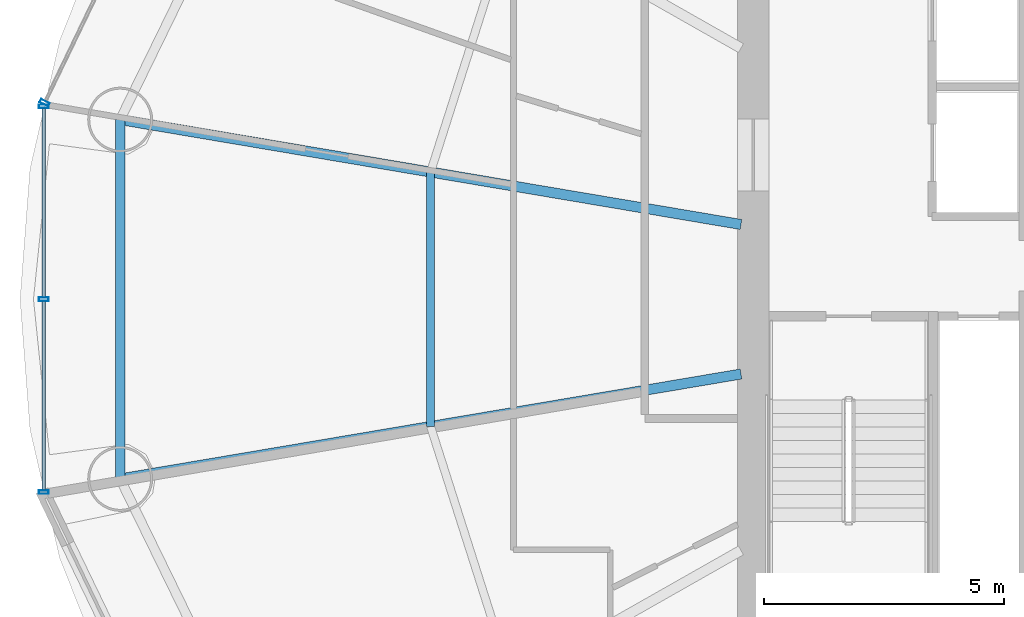
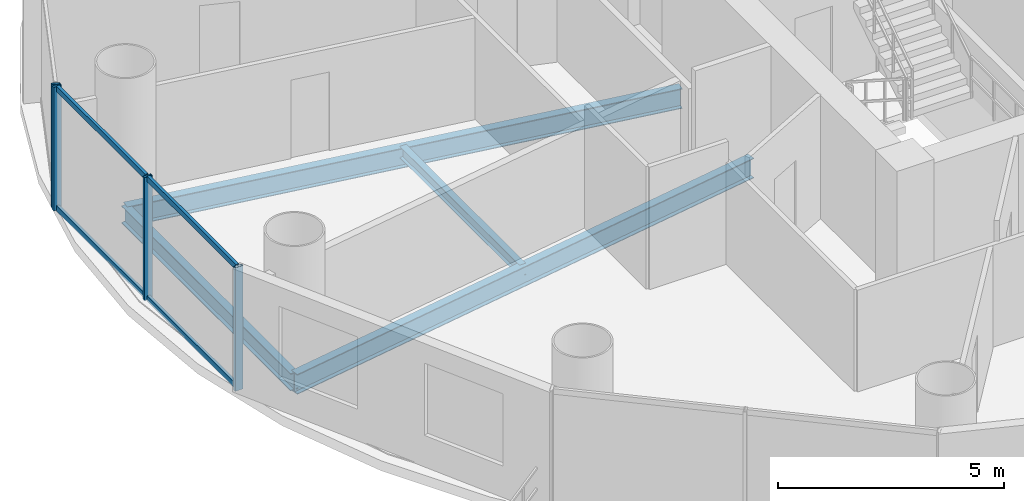
# One storey, part 7 of 26: 8 members, 4 beams, 2 elements without a shape of their own.
"""IFC4 building model written with IfcOpenShell, lengths in metres."""

from ifc_helpers import new_model, si_unit, direction, frame, origin, origin_2d, place, context, subcontext, project, spatial, hollow_rectangle, i_section, extrude, source, transform, mapped, material, material_profile, profile_set, type_object, element, aggregate, save


model = new_model("IFC4")

# Units and contexts
model_context = context("Model", 3, precision=1e-05, world=origin(), true_north=direction((-0.2419218956, 0.970295726276)))
body_context = subcontext(model_context, "Body", "Model", "MODEL_VIEW")
ifc_project = project(units=[si_unit("LENGTHUNIT", "METRE"), si_unit("AREAUNIT", "SQUARE_METRE"), si_unit("VOLUMEUNIT", "CUBIC_METRE"), si_unit("PLANEANGLEUNIT", "RADIAN"), si_unit("MASSUNIT", "GRAM", prefix="KILO")], contexts=[model_context])

# Site, building, storey
site_placement = place(None, origin())
site = spatial("IfcSite", under=ifc_project, at=site_placement, CompositionType="ELEMENT")
building_placement = place(site_placement, origin())
building = spatial("IfcBuilding", under=site, at=building_placement, Name="Cobrevalo Terracotta Tower", CompositionType="ELEMENT")
storey_placement = place(building_placement, frame((0.0, 0.0, 135.39990234375)))
storey = spatial("IfcBuildingStorey", under=building, at=storey_placement, Name="L35", CompositionType="ELEMENT", Elevation=135.39990234375)

# Beams
ifc_material_1 = material(Name="Steel S355", Category="steel")
ifc_material_profile_1 = material_profile(ifc_material_1, i_section(OverallWidth=0.2109375, OverallDepth=0.5390625, WebThickness=0.01171875, FlangeThickness=0.018798828125, at=origin_2d()), Name="W 530x109")
ifc_profile_set_1 = profile_set([ifc_material_profile_1], Name="Steel S355")
beam_type_1 = type_object("IfcBeamType", Name="Structural Beam W 530x109 (Steel S355)", PredefinedType="BEAM", material=ifc_profile_set_1)
for number, where, z_axis, x_axis, name in (
    (1, (15.88330078125, 30.535888671875, -0.539306640625), (0.986032794282, -0.166551279191, 0.0), (0.166551279191, 0.986032794282, 0.0), "L35 radial floor girder 08"),
    (2, (15.88330078125, 23.06396484375, -0.539306640625), (0.986029732232, 0.166569406417, 0.0), (-0.166569406417, 0.986029732232, 0.0), "L35 radial floor girder 09"),
):
    element("IfcBeam", number, at=place(storey_placement, frame(where, z_axis=z_axis, x_axis=x_axis)), inside=storey, type_object=beam_type_1, Name=name, PredefinedType="BEAM", context=body_context, shape_type="SweptSolid", body=[
        extrude(i_section(OverallWidth=0.2109375, OverallDepth=0.5390625, WebThickness=0.01171875, FlangeThickness=0.018798828125, at=origin_2d()), origin(), (0.0, 0.0, 1.0), 13.094482421875),
    ])
ifc_material_profile_2 = material_profile(ifc_material_1, i_section(OverallWidth=0.1650390625, OverallDepth=0.31005859375, WebThickness=0.005859375, FlangeThickness=0.009765625, at=origin_2d()), Name="W 310x38.7")
ifc_profile_set_2 = profile_set([ifc_material_profile_2], Name="Steel S355")
beam_type_2 = type_object("IfcBeamType", Name="Structural Joist W 310x38.7 (Steel S355)", PredefinedType="JOIST", material=ifc_profile_set_2)
beam_1_placement = place(storey_placement, frame((22.339111328125, 29.445556640625, -0.4248046875), z_axis=(0.0, -1.0, 0.0), x_axis=(1.0, 0.0, 0.0)))
element("IfcBeam", 3, at=beam_1_placement, inside=storey, type_object=beam_type_2, Name="L35 circumferential secondary floor joist 08", PredefinedType="JOIST", context=body_context, shape_type="SweptSolid", body=[
    extrude(i_section(OverallWidth=0.1650390625, OverallDepth=0.31005859375, WebThickness=0.005859375, FlangeThickness=0.009765625, at=origin_2d()), origin(), (0.0, 0.0, 1.0), 5.291015625),
])
ifc_material_profile_3 = material_profile(ifc_material_1, i_section(OverallWidth=0.194091796875, OverallDepth=0.468994140625, WebThickness=0.011474609375, FlangeThickness=0.0205078125, at=origin_2d()), Name="W 460x106")
ifc_profile_set_3 = profile_set([ifc_material_profile_3], Name="Steel S355")
beam_type_3 = type_object("IfcBeamType", Name="Structural Spandrel W 460x106 (Steel S355)", PredefinedType="SPANDREL", material=ifc_profile_set_3)
beam_2_placement = place(storey_placement, frame((15.88330078125, 30.535888671875, -0.50439453125), z_axis=(0.0, -1.0, 0.0), x_axis=(1.0, 0.0, 0.0)))
element("IfcBeam", 4, at=beam_2_placement, inside=storey, type_object=beam_type_3, Name="L35 perimeter ring spandrel 08", PredefinedType="SPANDREL", context=body_context, shape_type="SweptSolid", body=[
    extrude(i_section(OverallWidth=0.194091796875, OverallDepth=0.468994140625, WebThickness=0.011474609375, FlangeThickness=0.0205078125, at=origin_2d()), origin(), (0.0, 0.0, 1.0), 7.471923828125),
])

# Curtain wall, member
ifc_material_2 = material(Name="Anodized aluminium", Category="aluminium")
curtain_wall_type = type_object("IfcCurtainWallType", Name="Mid-tower high-wind unitised curtain wall CW-U2", PredefinedType="NOTDEFINED", material=ifc_material_2)
curtain_wall_1_placement = place(storey_placement, origin())
curtain_wall_1 = element("IfcCurtainWall", 5, at=curtain_wall_1_placement, inside=storey, type_object=curtain_wall_type, Name="L35 curtain wall CW-L35-S07", PredefinedType="NOTDEFINED")
ifc_material_profile_4 = material_profile(ifc_material_2, hollow_rectangle(XDim=0.074951171875, YDim=0.199951171875, WallThickness=0.0048828125, at=origin_2d()), Name="CWM 75x200")
ifc_profile_set_4 = profile_set([ifc_material_profile_4], Name="Anodized aluminium")
member_type_1 = type_object("IfcMemberType", Name="Lower/mid tower unitised mullion 75x200", PredefinedType="MULLION", material=ifc_profile_set_4)
shared_shape_1 = source(origin(), body_context, "Body", "SweptSolid", [
    extrude(hollow_rectangle(XDim=0.074951171875, YDim=0.199951171875, WallThickness=0.0048828125, at=origin_2d()), origin(), (0.0, 0.0, 1.0), 3.330078125),
])
member_1_placement = place(storey_placement, frame((14.311767578125, 30.887939453125, 0.0), z_axis=(0.0, 0.0, 1.0), x_axis=(-0.434209440271, -0.900811945957, 0.0)))
member_1 = element("IfcMember", 6, at=member_1_placement, type_object=member_type_1, Name="CW-L35-S07 vertical mullion 03", PredefinedType="MULLION", context=body_context, shape_type="MappedRepresentation", body=[
    mapped(shared_shape_1, transform((0.0, 0.0, 0.0), scale=1.0)),
])
aggregate(curtain_wall_1, [member_1])

# Curtain wall, members
curtain_wall_2_placement = place(storey_placement, origin())
curtain_wall_2 = element("IfcCurtainWall", 7, at=curtain_wall_2_placement, inside=storey, type_object=curtain_wall_type, Name="L35 curtain wall CW-L35-S08", PredefinedType="NOTDEFINED")
member_2_placement = place(storey_placement, frame((14.29443359375, 30.81201171875, 0.0), z_axis=(0.0, 0.0, 1.0), x_axis=(0.0, -1.0, 0.0)))
member_2 = element("IfcMember", 8, at=member_2_placement, type_object=member_type_1, Name="CW-L35-S08 vertical mullion 01", PredefinedType="MULLION", context=body_context, shape_type="MappedRepresentation", body=[
    mapped(shared_shape_1, transform((0.0, 0.0, 0.0), scale=1.0)),
])
member_3_placement = place(storey_placement, frame((14.29443359375, 26.800048828125, 0.0), z_axis=(0.0, 0.0, 1.0), x_axis=(0.0, -1.0, 0.0)))
member_3 = element("IfcMember", 9, at=member_3_placement, type_object=member_type_1, Name="CW-L35-S08 vertical mullion 02", PredefinedType="MULLION", context=body_context, shape_type="MappedRepresentation", body=[
    mapped(shared_shape_1, transform((0.0, 0.0, 0.0), scale=1.0)),
])
member_4_placement = place(storey_placement, frame((14.29443359375, 22.7880859375, 0.0), z_axis=(0.0, 0.0, 1.0), x_axis=(0.0, -1.0, 0.0)))
member_4 = element("IfcMember", 10, at=member_4_placement, type_object=member_type_1, Name="CW-L35-S08 vertical mullion 03", PredefinedType="MULLION", context=body_context, shape_type="MappedRepresentation", body=[
    mapped(shared_shape_1, transform((0.0, 0.0, 0.0), scale=1.0)),
])
ifc_material_profile_5 = material_profile(ifc_material_2, hollow_rectangle(XDim=0.074951171875, YDim=0.14990234375, WallThickness=0.00439453125, at=origin_2d()), Name="CWT 75x150")
ifc_profile_set_5 = profile_set([ifc_material_profile_5], Name="Anodized aluminium")
member_type_2 = type_object("IfcMemberType", Name="Tower unitised aluminium transom 75x150", PredefinedType="USERDEFINED", material=ifc_profile_set_5)
shared_shape_2 = source(origin(), body_context, "Body", "SweptSolid", [
    extrude(hollow_rectangle(XDim=0.074951171875, YDim=0.14990234375, WallThickness=0.00439453125, at=origin_2d()), origin(), (0.0, 0.0, 1.0), 3.931884765625),
])
member_5_placement = place(storey_placement, frame((14.29443359375, 30.77197265625, 0.050048828125), z_axis=(0.0, -1.0, 0.0), x_axis=(1.0, 0.0, 0.0)))
member_5 = element("IfcMember", 11, at=member_5_placement, type_object=member_type_2, Name="CW-L35-S08 transom B01-T1", ObjectType="TRANSOM", PredefinedType="USERDEFINED", context=body_context, shape_type="MappedRepresentation", body=[
    mapped(shared_shape_2, transform((0.0, 0.0, 0.0), scale=1.0)),
])
member_6_placement = place(storey_placement, frame((14.29443359375, 30.77197265625, 3.280029296875), z_axis=(0.0, -1.0, 0.0), x_axis=(1.0, 0.0, 0.0)))
member_6 = element("IfcMember", 12, at=member_6_placement, type_object=member_type_2, Name="CW-L35-S08 transom B01-T2", ObjectType="TRANSOM", PredefinedType="USERDEFINED", context=body_context, shape_type="MappedRepresentation", body=[
    mapped(shared_shape_2, transform((0.0, 0.0, 0.0), scale=1.0)),
])
shared_shape_3 = source(origin(), body_context, "Body", "SweptSolid", [
    extrude(hollow_rectangle(XDim=0.074951171875, YDim=0.14990234375, WallThickness=0.00439453125, at=origin_2d()), origin(), (0.0, 0.0, 1.0), 3.93212890625),
])
member_7_placement = place(storey_placement, frame((14.29443359375, 26.760009765625, 0.050048828125), z_axis=(0.0, -1.0, 0.0), x_axis=(1.0, 0.0, 0.0)))
member_7 = element("IfcMember", 13, at=member_7_placement, type_object=member_type_2, Name="CW-L35-S08 transom B02-T1", ObjectType="TRANSOM", PredefinedType="USERDEFINED", context=body_context, shape_type="MappedRepresentation", body=[
    mapped(shared_shape_3, transform((0.0, 0.0, 0.0), scale=1.0)),
])
member_8_placement = place(storey_placement, frame((14.29443359375, 26.760009765625, 3.280029296875), z_axis=(0.0, -1.0, 0.0), x_axis=(1.0, 0.0, 0.0)))
member_8 = element("IfcMember", 14, at=member_8_placement, type_object=member_type_2, Name="CW-L35-S08 transom B02-T2", ObjectType="TRANSOM", PredefinedType="USERDEFINED", context=body_context, shape_type="MappedRepresentation", body=[
    mapped(shared_shape_3, transform((0.0, 0.0, 0.0), scale=1.0)),
])
aggregate(curtain_wall_2, [member_2, member_3, member_4, member_5, member_6, member_7, member_8])

save(model, "model.ifc")
